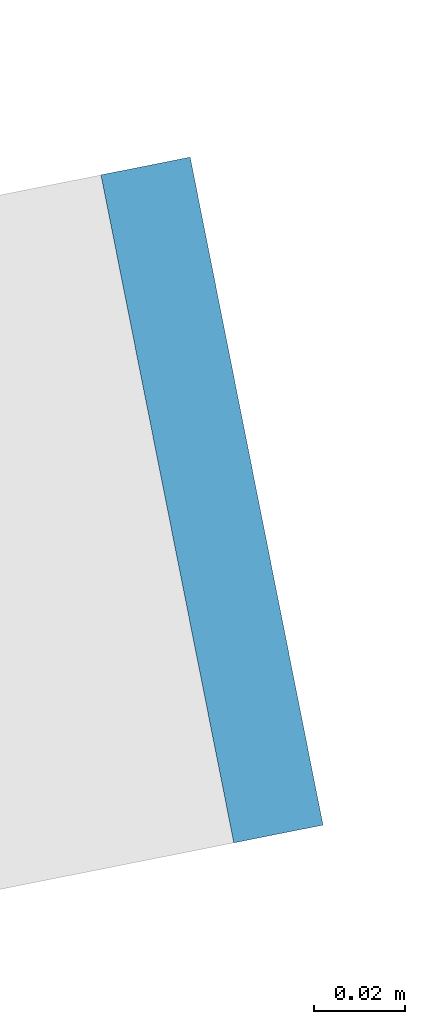
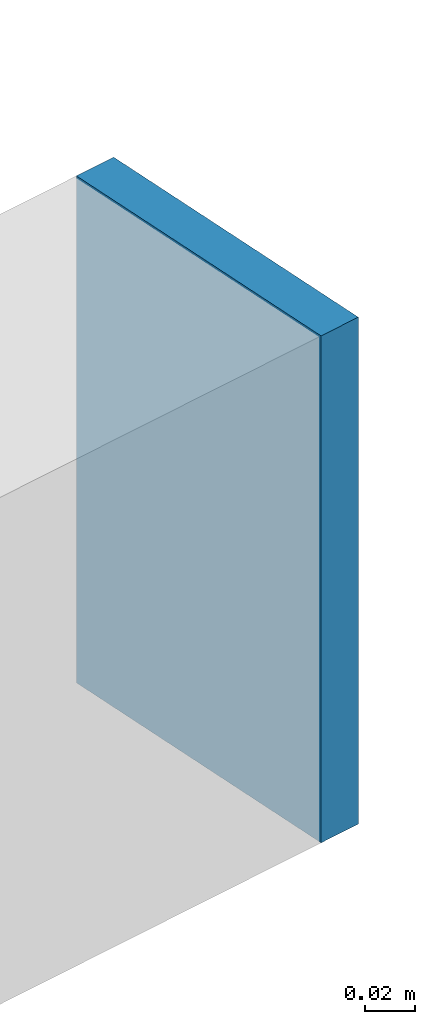
# One storey, part 17 of 23: 1 discrete accessory.
"""IFC4 building model written with IfcOpenShell, lengths in metres."""

from ifc_helpers import new_model, si_unit, direction, frame, origin, origin_2d, place, context, subcontext, project, spatial, rectangle, extrude, material, layer, layer_set, type_object, element, save


model = new_model("IFC4")

# Units and contexts
model_context = context("Model", 3, precision=1e-05, world=origin(), true_north=direction((0.0, 1.0)))
body_context = subcontext(model_context, "Body", "Model", "MODEL_VIEW")
ifc_project = project(units=[si_unit("LENGTHUNIT", "METRE"), si_unit("AREAUNIT", "SQUARE_METRE"), si_unit("VOLUMEUNIT", "CUBIC_METRE"), si_unit("PLANEANGLEUNIT", "RADIAN"), si_unit("MASSUNIT", "GRAM", prefix="KILO")], contexts=[model_context])

# Site, building, storey
site_placement = place(None, origin())
site = spatial("IfcSite", under=ifc_project, at=site_placement, CompositionType="ELEMENT")
building_placement = place(site_placement, origin())
building = spatial("IfcBuilding", under=site, at=building_placement, Name="Siwar Civic Tower", CompositionType="ELEMENT")
storey_placement = place(building_placement, frame((0.0, 0.0, 224.199951171875)))
storey = spatial("IfcBuildingStorey", under=building, at=storey_placement, Name="L48", CompositionType="ELEMENT", Elevation=224.199951171875)

# Discrete accessory
ifc_material = material(Name="Steel S355", Category="steel")
ifc_layer = layer(ifc_material, 0.02001953125)
ifc_layer_set = layer_set([ifc_layer], Name="Steel S355")
discrete_accessory_type = type_object("IfcDiscreteAccessoryType", Name="STR-END-CAP", PredefinedType="USERDEFINED", material=ifc_layer_set)
discrete_accessory_placement = place(storey_placement, frame((28.8251953125, 18.118408203125, -0.39990234375), z_axis=(0.0, 0.0, 1.0), x_axis=(0.980785280444, 0.195090321811, 0.0)))
element("IfcDiscreteAccessory", 1, at=discrete_accessory_placement, inside=storey, type_object=discrete_accessory_type, Name="End cap plate Balcony cantilever beam NE 1", ObjectType="END CAP PLATE", PredefinedType="USERDEFINED", context=body_context, shape_type="SweptSolid", body=[
    extrude(rectangle(XDim=0.02001953125, YDim=0.14990234375, at=origin_2d()), origin(), (0.0, 0.0, 1.0), 0.25),
])

save(model, "model.ifc")
